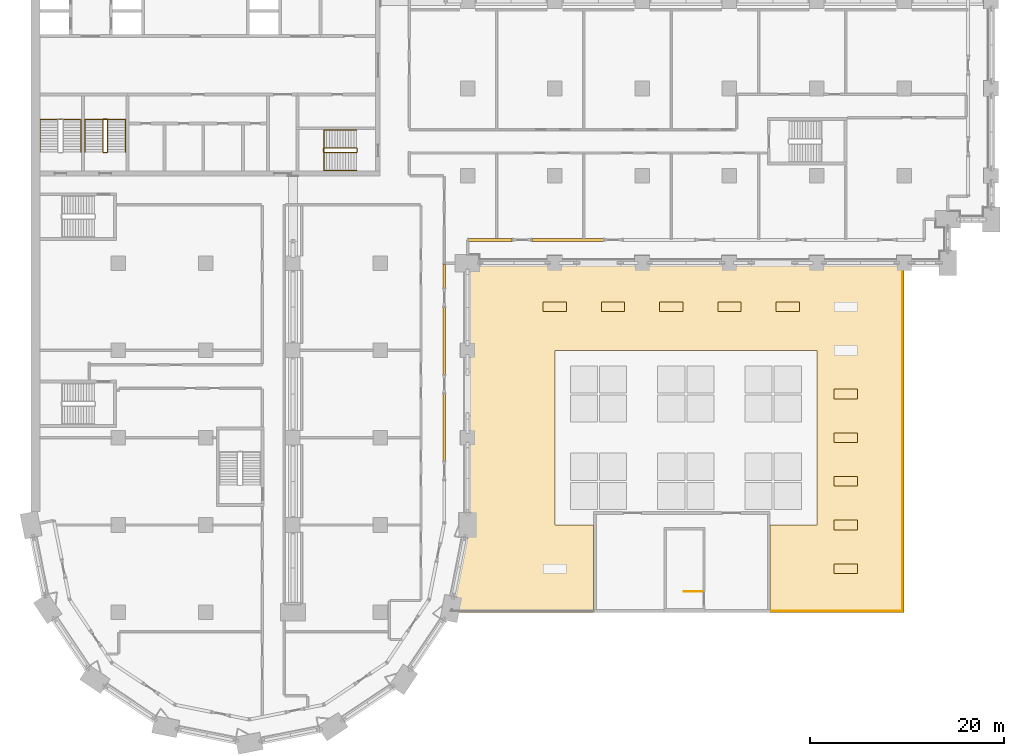
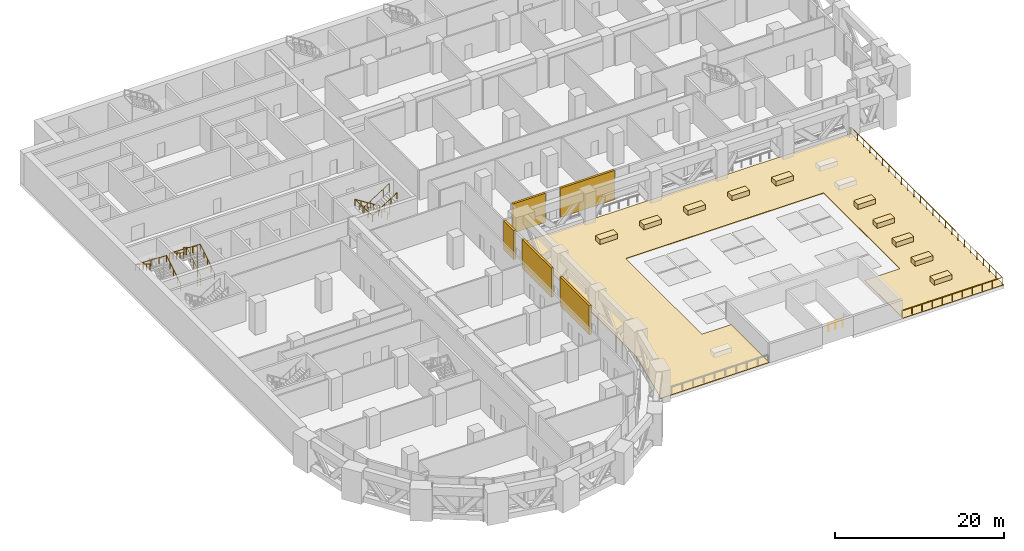
# One storey, part 28 of 31: 11 coverings, 7 railings, 5 shading devices.
"""IFC4 building model written with IfcOpenShell, lengths in metres."""

from ifc_helpers import new_model, si_unit, direction, frame, origin, origin_2d, place, context, subcontext, project, spatial, polyline, rectangle, circle, outline, extrude, material, layer, layer_set, type_object, element, save


model = new_model("IFC4")

# Units and contexts
model_context = context("Model", 3, precision=1e-05, world=origin(), true_north=direction((0.0, 1.0)))
body_context = subcontext(model_context, "Body", "Model", "MODEL_VIEW")
ifc_project = project(units=[si_unit("LENGTHUNIT", "METRE"), si_unit("AREAUNIT", "SQUARE_METRE"), si_unit("VOLUMEUNIT", "CUBIC_METRE"), si_unit("PLANEANGLEUNIT", "RADIAN"), si_unit("MASSUNIT", "GRAM", prefix="KILO")], contexts=[model_context])

# Site, building, storey
site_placement = place(None, origin())
site = spatial("IfcSite", under=ifc_project, at=site_placement, CompositionType="ELEMENT")
building_placement = place(site_placement, origin())
building = spatial("IfcBuilding", under=site, at=building_placement, Name="Hunhe Ridgeline Campus", CompositionType="ELEMENT")
storey_placement = place(building_placement, frame((0.0, 0.0, 31.199951171875)))
storey = spatial("IfcBuildingStorey", under=building, at=storey_placement, Name="L06", CompositionType="ELEMENT", Elevation=31.199951171875)

# Shading devices
ifc_material_1 = material(Name="Aluminium 6063", Category="aluminium")
ifc_layer_1 = layer(ifc_material_1, 0.300048828125)
ifc_layer_set_1 = layer_set([ifc_layer_1], Name="Louvre bank 300 Aluminium 6063")
shading_device_type = type_object("IfcShadingDeviceType", Name="Louvre bank 300 Aluminium 6063", PredefinedType="USERDEFINED", material=ifc_layer_set_1)
for number, where, z_axis, x_axis, name in (
    (1, (42.59912109375, 37.0576171875, 0.0), (0.0, 0.0, 1.0), (1.40429e-07, 1.0, 0.0), "Louvre bank 18"),
    (2, (42.59912109375, 45.97900390625, 0.0), (0.0, 0.0, 1.0), (1.40429e-07, 1.0, 0.0), "Louvre bank 19"),
):
    element("IfcShadingDevice", number, at=place(storey_placement, frame(where, z_axis=z_axis, x_axis=x_axis)), inside=storey, type_object=shading_device_type, Name=name, ObjectType="LOUVRE", PredefinedType="USERDEFINED", context=body_context, shape_type="SweptSolid", body=[
        extrude(rectangle(XDim=6.881103515625, YDim=0.300048828125, at=origin_2d()), origin(), (0.0, 0.0, 1.0), 4.199951171875),
    ])
shading_device_1_placement = place(storey_placement, frame((42.59912109375, 52.669677734375, 0.0), z_axis=(0.0, 0.0, 1.0), x_axis=(0.0, 1.0, 0.0)))
element("IfcShadingDevice", 3, at=shading_device_1_placement, inside=storey, type_object=shading_device_type, Name="Louvre bank 20", ObjectType="LOUVRE", PredefinedType="USERDEFINED", context=body_context, shape_type="SweptSolid", body=[
    extrude(rectangle(XDim=2.420654296875, YDim=0.300048828125, at=origin_2d()), origin(), (0.0, 0.0, 1.0), 4.199951171875),
])
shading_device_2_placement = place(storey_placement, frame((47.3544921875, 56.40087890625, 0.0), z_axis=(0.0, 0.0, 1.0), x_axis=(0.999999999993, 3.609376e-06, 0.0)))
element("IfcShadingDevice", 4, at=shading_device_2_placement, inside=storey, type_object=shading_device_type, Name="Louvre bank 21", ObjectType="LOUVRE", PredefinedType="USERDEFINED", context=body_context, shape_type="SweptSolid", body=[
    extrude(rectangle(XDim=4.469970703125, YDim=0.300048828125, at=origin_2d()), origin(), (0.0, 0.0, 1.0), 4.199951171875),
])
shading_device_3_placement = place(storey_placement, frame((55.3193359375, 56.40087890625, 0.0), z_axis=(0.0, 0.0, 1.0), x_axis=(0.999999999993, 3.674581e-06, 0.0)))
element("IfcShadingDevice", 5, at=shading_device_3_placement, inside=storey, type_object=shading_device_type, Name="Louvre bank 22", ObjectType="LOUVRE", PredefinedType="USERDEFINED", context=body_context, shape_type="SweptSolid", body=[
    extrude(rectangle(XDim=7.3798828125, YDim=0.300048828125, at=origin_2d()), origin(), (0.0, 0.0, 1.0), 4.199951171875),
])

# Coverings
ifc_material_2 = material(Name="Planting soil")
covering_type_1 = type_object("IfcCoveringType", Name="Podium garden planter 700 planting soil", PredefinedType="USERDEFINED", material=ifc_material_2)
covering_1_placement = place(storey_placement, frame((0.0, 0.0, 0.080078125)))
element("IfcCovering", 6, at=covering_1_placement, inside=storey, type_object=covering_type_1, Name="Garden planter 2", ObjectType="PLANTER", PredefinedType="USERDEFINED", context=body_context, shape_type="SweptSolid", body=[
    extrude(outline(polyline([(52.800048828125, 49.0), (55.199951171875, 49.0), (55.199951171875, 50.0), (52.800048828125, 50.0), (52.800048828125, 49.0)])), origin(), (0.0, 0.0, 1.0), 0.699951171875),
])
covering_2_placement = place(storey_placement, frame((0.0, 0.0, 0.080078125)))
element("IfcCovering", 7, at=covering_2_placement, inside=storey, type_object=covering_type_1, Name="Garden planter 3", ObjectType="PLANTER", PredefinedType="USERDEFINED", context=body_context, shape_type="SweptSolid", body=[
    extrude(outline(polyline([(58.800048828125, 49.0), (61.199951171875, 49.0), (61.199951171875, 50.0), (58.800048828125, 50.0), (58.800048828125, 49.0)])), origin(), (0.0, 0.0, 1.0), 0.699951171875),
])
covering_3_placement = place(storey_placement, frame((0.0, 0.0, 0.080078125)))
element("IfcCovering", 8, at=covering_3_placement, inside=storey, type_object=covering_type_1, Name="Garden planter 4", ObjectType="PLANTER", PredefinedType="USERDEFINED", context=body_context, shape_type="SweptSolid", body=[
    extrude(outline(polyline([(64.800048828125, 49.0), (67.199951171875, 49.0), (67.199951171875, 50.0), (64.800048828125, 50.0), (64.800048828125, 49.0)])), origin(), (0.0, 0.0, 1.0), 0.699951171875),
])
covering_4_placement = place(storey_placement, frame((0.0, 0.0, 0.080078125)))
element("IfcCovering", 9, at=covering_4_placement, inside=storey, type_object=covering_type_1, Name="Garden planter 5", ObjectType="PLANTER", PredefinedType="USERDEFINED", context=body_context, shape_type="SweptSolid", body=[
    extrude(outline(polyline([(70.800048828125, 49.0), (73.199951171875, 49.0), (73.199951171875, 50.0), (70.800048828125, 50.0), (70.800048828125, 49.0)])), origin(), (0.0, 0.0, 1.0), 0.699951171875),
])
covering_5_placement = place(storey_placement, frame((0.0, 0.0, 0.080078125)))
element("IfcCovering", 10, at=covering_5_placement, inside=storey, type_object=covering_type_1, Name="Garden planter 6", ObjectType="PLANTER", PredefinedType="USERDEFINED", context=body_context, shape_type="SweptSolid", body=[
    extrude(outline(polyline([(76.800048828125, 49.0), (79.199951171875, 49.0), (79.199951171875, 50.0), (76.800048828125, 50.0), (76.800048828125, 49.0)])), origin(), (0.0, 0.0, 1.0), 0.699951171875),
])
covering_6_placement = place(storey_placement, frame((0.0, 0.0, 0.080078125)))
element("IfcCovering", 11, at=covering_6_placement, inside=storey, type_object=covering_type_1, Name="Garden planter 7", ObjectType="PLANTER", PredefinedType="USERDEFINED", context=body_context, shape_type="SweptSolid", body=[
    extrude(outline(polyline([(82.800048828125, 22.0), (85.199951171875, 22.0), (85.199951171875, 23.0), (82.800048828125, 23.0), (82.800048828125, 22.0)])), origin(), (0.0, 0.0, 1.0), 0.699951171875),
])
covering_7_placement = place(storey_placement, frame((0.0, 0.0, 0.080078125)))
element("IfcCovering", 12, at=covering_7_placement, inside=storey, type_object=covering_type_1, Name="Garden planter 8", ObjectType="PLANTER", PredefinedType="USERDEFINED", context=body_context, shape_type="SweptSolid", body=[
    extrude(outline(polyline([(82.800048828125, 26.5), (85.199951171875, 26.5), (85.199951171875, 27.5), (82.800048828125, 27.5), (82.800048828125, 26.5)])), origin(), (0.0, 0.0, 1.0), 0.699951171875),
])
covering_8_placement = place(storey_placement, frame((0.0, 0.0, 0.080078125)))
element("IfcCovering", 13, at=covering_8_placement, inside=storey, type_object=covering_type_1, Name="Garden planter 9", ObjectType="PLANTER", PredefinedType="USERDEFINED", context=body_context, shape_type="SweptSolid", body=[
    extrude(outline(polyline([(82.800048828125, 31.0), (85.199951171875, 31.0), (85.199951171875, 32.0), (82.800048828125, 32.0), (82.800048828125, 31.0)])), origin(), (0.0, 0.0, 1.0), 0.699951171875),
])
covering_9_placement = place(storey_placement, frame((0.0, 0.0, 0.080078125)))
element("IfcCovering", 14, at=covering_9_placement, inside=storey, type_object=covering_type_1, Name="Garden planter 10", ObjectType="PLANTER", PredefinedType="USERDEFINED", context=body_context, shape_type="SweptSolid", body=[
    extrude(outline(polyline([(82.800048828125, 35.5), (85.199951171875, 35.5), (85.199951171875, 36.5), (82.800048828125, 36.5), (82.800048828125, 35.5)])), origin(), (0.0, 0.0, 1.0), 0.699951171875),
])
covering_10_placement = place(storey_placement, frame((0.0, 0.0, 0.080078125)))
element("IfcCovering", 15, at=covering_10_placement, inside=storey, type_object=covering_type_1, Name="Garden planter 11", ObjectType="PLANTER", PredefinedType="USERDEFINED", context=body_context, shape_type="SweptSolid", body=[
    extrude(outline(polyline([(82.800048828125, 40.0), (85.199951171875, 40.0), (85.199951171875, 41.0), (82.800048828125, 41.0), (82.800048828125, 40.0)])), origin(), (0.0, 0.0, 1.0), 0.699951171875),
])

# Railing
ifc_material_3 = material(Name="Steel Q235", Category="steel")
railing_type_1 = type_object("IfcRailingType", Name="Podium stair guard 1100", PredefinedType="GUARDRAIL", material=ifc_material_3)
railing_1_placement = place(storey_placement, frame((69.25, 20.14990234375, 0.0)))
element("IfcRailing", 16, at=railing_1_placement, inside=storey, type_object=railing_type_1, Name="L06 PS2 top well guard 1", PredefinedType="GUARDRAIL", context=body_context, shape_type="SweptSolid", body=[
    extrude(circle(Radius=0.02392578125, at=origin_2d()), frame((0.0, 0.0, 1.076171875), z_axis=(-1.0, 0.0, 0.0), x_axis=(0.0, -1.0, 0.0)), (0.0, 0.0, 1.0), 1.949951171875),
    extrude(circle(Radius=0.02099609375, at=origin_2d()), origin(), (0.0, 0.0, 1.0), 1.052001953125),
    extrude(circle(Radius=0.02099609375, at=origin_2d()), frame((-0.97509765625, 0.0, 0.0)), (0.0, 0.0, 1.0), 1.052001953125),
    extrude(circle(Radius=0.02099609375, at=origin_2d()), frame((-1.949951171875, 0.0, 0.0)), (0.0, 0.0, 1.0), 1.052001953125),
])

# Covering
ifc_material_4 = material(Name="Precast concrete C30 paving", Category="concrete")
ifc_layer_2 = layer(ifc_material_4, 0.080078125)
ifc_layer_set_2 = layer_set([ifc_layer_2], Name="Podium terrace paving 80 precast concrete C30")
covering_type_2 = type_object("IfcCoveringType", Name="Podium terrace paving 80 precast concrete C30", PredefinedType="FLOORING", material=ifc_layer_set_2)
covering_11_placement = place(storey_placement, origin())
element("IfcCovering", 17, at=covering_11_placement, inside=storey, type_object=covering_type_2, Name="Podium terrace paving", PredefinedType="FLOORING", context=body_context, shape_type="SweptSolid", body=[
    extrude(outline(polyline([(43.287353515625, 18.3896484375), (43.027099609375, 18.0), (58.0, 18.0), (58.0, 27.0), (54.0, 27.0), (54.0, 45.0), (81.0, 45.0), (81.0, 27.0), (76.199951171875, 27.0), (76.199951171875, 18.0), (90.0, 18.0), (90.0, 54.0), (45.0, 54.0), (45.0, 27.0), (43.287353515625, 18.3896484375)])), origin(), (0.0, 0.0, 1.0), 0.080078125),
])

# Railings
ifc_material_5 = material(Name="Stainless steel balustrade", Category="steel")
railing_type_2 = type_object("IfcRailingType", Name="Stair guard 1100 stainless", PredefinedType="GUARDRAIL", material=ifc_material_5)
railing_2_placement = place(storey_placement, frame((33.550048828125, 65.85009765625, 0.177001953125)))
element("IfcRailing", 18, at=railing_2_placement, inside=storey, type_object=railing_type_2, Name="L06 stair S2 guard", PredefinedType="GUARDRAIL", context=body_context, shape_type="SweptSolid", body=[
    extrude(circle(Radius=0.02392578125, at=origin_2d()), frame((0.0, 0.0, 1.076171875), z_axis=(-0.845389635667, 0.0, 0.534150132366), x_axis=(0.0, -1.0, 0.0)), (0.0, 0.0, 1.0), 3.974609375),
    extrude(circle(Radius=0.02392578125, at=origin_2d()), frame((-3.360107421875, 0.0, 3.19921875), z_axis=(-0.707106781187, -0.707106781187, 0.0), x_axis=(0.707106781187, -0.707106781187, 0.0)), (0.0, 0.0, 1.0), 0.07080078125),
    extrude(circle(Radius=0.02392578125, at=origin_2d()), frame((-3.41015625, -0.050048828125, 3.19921875), z_axis=(0.0, -1.0, 0.0), x_axis=(1.0, 0.0, 0.0)), (0.0, 0.0, 1.0), 0.35009765625),
    extrude(circle(Radius=0.02392578125, at=origin_2d()), frame((-3.41015625, -0.400146484375, 3.19921875), z_axis=(0.262545553595, -0.262545553595, 0.928514762713), x_axis=(0.707106781187, 0.707106781187, 0.0)), (0.0, 0.0, 1.0), 0.190673828125),
    extrude(circle(Radius=0.02392578125, at=origin_2d()), frame((-3.360107421875, -0.4501953125, 3.3759765625), z_axis=(0.845389635667, 0.0, 0.534150132366), x_axis=(0.0, 1.0, 0.0)), (0.0, 0.0, 1.0), 3.974609375),
    extrude(circle(Radius=0.02392578125, at=origin_2d()), frame((0.0, -0.4501953125, 5.4990234375), z_axis=(0.010878661383, 0.010878661383, -0.999881647723), x_axis=(-0.707106781187, 0.707106781187, 0.0)), (0.0, 0.0, 1.0), 4.6005859375),
    extrude(circle(Radius=0.02392578125, at=origin_2d()), frame((0.050048828125, -0.400146484375, 0.89892578125), z_axis=(0.0, 1.0, 0.0), x_axis=(-1.0, 0.0, 0.0)), (0.0, 0.0, 1.0), 0.35009765625),
    extrude(circle(Radius=0.02099609375, at=origin_2d()), origin(), (0.0, 0.0, 1.0), 1.052001953125),
    extrude(circle(Radius=0.02099609375, at=origin_2d()), frame((-0.840087890625, 0.0, 0.53076171875)), (0.0, 0.0, 1.0), 1.052001953125),
    extrude(circle(Radius=0.02099609375, at=origin_2d()), frame((-1.68017578125, 0.0, 1.0615234375)), (0.0, 0.0, 1.0), 1.052001953125),
    extrude(circle(Radius=0.02099609375, at=origin_2d()), frame((-2.52001953125, 0.0, 1.59228515625)), (0.0, 0.0, 1.0), 1.052001953125),
    extrude(circle(Radius=0.02099609375, at=origin_2d()), frame((-3.360107421875, 0.0, 2.123046875)), (0.0, 0.0, 1.0), 1.052001953125),
    extrude(circle(Radius=0.02099609375, at=origin_2d()), frame((-3.41015625, -0.050048828125, 2.123046875)), (0.0, 0.0, 1.0), 1.052001953125),
    extrude(circle(Radius=0.02099609375, at=origin_2d()), frame((-3.41015625, -0.400146484375, 2.123046875)), (0.0, 0.0, 1.0), 1.052001953125),
    extrude(circle(Radius=0.02099609375, at=origin_2d()), frame((-3.360107421875, -0.4501953125, 2.300048828125)), (0.0, 0.0, 1.0), 1.052001953125),
    extrude(circle(Radius=0.02099609375, at=origin_2d()), frame((-2.52001953125, -0.4501953125, 2.830810546875)), (0.0, 0.0, 1.0), 1.052001953125),
    extrude(circle(Radius=0.02099609375, at=origin_2d()), frame((-1.68017578125, -0.4501953125, 3.361572265625)), (0.0, 0.0, 1.0), 1.052001953125),
    extrude(circle(Radius=0.02099609375, at=origin_2d()), frame((-0.840087890625, -0.4501953125, 3.892333984375)), (0.0, 0.0, 1.0), 1.052001953125),
    extrude(circle(Radius=0.02099609375, at=origin_2d()), frame((0.0, -0.4501953125, 4.423095703125)), (0.0, 0.0, 1.0), 1.052001953125),
    extrude(circle(Radius=0.02099609375, at=origin_2d()), frame((0.012451171875, -0.437744140625, 3.27294921875)), (0.0, 0.0, 1.0), 1.052001953125),
    extrude(circle(Radius=0.02099609375, at=origin_2d()), frame((0.02490234375, -0.42529296875, 2.123046875)), (0.0, 0.0, 1.0), 1.052001953125),
    extrude(circle(Radius=0.02099609375, at=origin_2d()), frame((0.03759765625, -0.41259765625, 0.97314453125)), (0.0, 0.0, 1.0), 1.052001953125),
    extrude(circle(Radius=0.02099609375, at=origin_2d()), frame((0.050048828125, -0.400146484375, -0.177001953125)), (0.0, 0.0, 1.0), 1.052001953125),
    extrude(circle(Radius=0.02099609375, at=origin_2d()), frame((0.050048828125, -0.050048828125, -0.177001953125)), (0.0, 0.0, 1.0), 1.052001953125),
])
railing_3_placement = place(storey_placement, frame((7.89990234375, 65.449951171875, 0.177001953125)))
element("IfcRailing", 19, at=railing_3_placement, inside=storey, type_object=railing_type_2, Name="L06 stair S4 guard", PredefinedType="GUARDRAIL", context=body_context, shape_type="SweptSolid", body=[
    extrude(circle(Radius=0.02392578125, at=origin_2d()), frame((0.0, 0.0, 1.076171875), z_axis=(0.0, 0.845389635667, 0.534150132366), x_axis=(-1.0, 0.0, 0.0)), (0.0, 0.0, 1.0), 3.974609375),
    extrude(circle(Radius=0.02392578125, at=origin_2d()), frame((0.0, 3.360107421875, 3.19921875), z_axis=(-0.705375805398, 0.708833529934, 0.0), x_axis=(-0.708833529934, -0.705375805398, 0.0)), (0.0, 0.0, 1.0), 0.070556640625),
    extrude(circle(Radius=0.02392578125, at=origin_2d()), frame((-0.0498046875, 3.41015625, 3.19921875), z_axis=(-1.0, 0.0, 0.0), x_axis=(0.0, -1.0, 0.0)), (0.0, 0.0, 1.0), 0.400146484375),
    extrude(circle(Radius=0.02392578125, at=origin_2d()), frame((-0.449951171875, 3.41015625, 3.19921875), z_axis=(-0.262545553595, -0.262545553595, 0.928514762713), x_axis=(0.707106781187, -0.707106781187, 0.0)), (0.0, 0.0, 1.0), 0.190673828125),
    extrude(circle(Radius=0.02392578125, at=origin_2d()), frame((-0.5, 3.360107421875, 3.3759765625), z_axis=(0.0, -0.845389635667, 0.534150132366), x_axis=(1.0, 0.0, 0.0)), (0.0, 0.0, 1.0), 3.974609375),
    extrude(circle(Radius=0.02392578125, at=origin_2d()), frame((-0.5, 0.0, 5.4990234375), z_axis=(0.010878661383, -0.010878661383, -0.999881647723), x_axis=(0.707106781187, 0.707106781187, 0.0)), (0.0, 0.0, 1.0), 4.6005859375),
    extrude(circle(Radius=0.02392578125, at=origin_2d()), frame((-0.449951171875, -0.050048828125, 0.89892578125), z_axis=(1.0, 0.0, 0.0), x_axis=(0.0, 1.0, 0.0)), (0.0, 0.0, 1.0), 0.400146484375),
    extrude(circle(Radius=0.02099609375, at=origin_2d()), origin(), (0.0, 0.0, 1.0), 1.052001953125),
    extrude(circle(Radius=0.02099609375, at=origin_2d()), frame((0.0, 0.840087890625, 0.53076171875)), (0.0, 0.0, 1.0), 1.052001953125),
    extrude(circle(Radius=0.02099609375, at=origin_2d()), frame((0.0, 1.68017578125, 1.0615234375)), (0.0, 0.0, 1.0), 1.052001953125),
    extrude(circle(Radius=0.02099609375, at=origin_2d()), frame((0.0, 2.52001953125, 1.59228515625)), (0.0, 0.0, 1.0), 1.052001953125),
    extrude(circle(Radius=0.02099609375, at=origin_2d()), frame((0.0, 3.360107421875, 2.123046875)), (0.0, 0.0, 1.0), 1.052001953125),
    extrude(circle(Radius=0.02099609375, at=origin_2d()), frame((-0.0498046875, 3.41015625, 2.123046875)), (0.0, 0.0, 1.0), 1.052001953125),
    extrude(circle(Radius=0.02099609375, at=origin_2d()), frame((-0.449951171875, 3.41015625, 2.123046875)), (0.0, 0.0, 1.0), 1.052001953125),
    extrude(circle(Radius=0.02099609375, at=origin_2d()), frame((-0.5, 3.360107421875, 2.300048828125)), (0.0, 0.0, 1.0), 1.052001953125),
    extrude(circle(Radius=0.02099609375, at=origin_2d()), frame((-0.5, 2.52001953125, 2.830810546875)), (0.0, 0.0, 1.0), 1.052001953125),
    extrude(circle(Radius=0.02099609375, at=origin_2d()), frame((-0.5, 1.68017578125, 3.361572265625)), (0.0, 0.0, 1.0), 1.052001953125),
    extrude(circle(Radius=0.02099609375, at=origin_2d()), frame((-0.5, 0.840087890625, 3.892333984375)), (0.0, 0.0, 1.0), 1.052001953125),
    extrude(circle(Radius=0.02099609375, at=origin_2d()), frame((-0.5, 0.0, 4.423095703125)), (0.0, 0.0, 1.0), 1.052001953125),
    extrude(circle(Radius=0.02099609375, at=origin_2d()), frame((-0.487548828125, -0.012451171875, 3.27294921875)), (0.0, 0.0, 1.0), 1.052001953125),
    extrude(circle(Radius=0.02099609375, at=origin_2d()), frame((-0.47509765625, -0.02490234375, 2.123046875)), (0.0, 0.0, 1.0), 1.052001953125),
    extrude(circle(Radius=0.02099609375, at=origin_2d()), frame((-0.46240234375, -0.03759765625, 0.97314453125)), (0.0, 0.0, 1.0), 1.052001953125),
    extrude(circle(Radius=0.02099609375, at=origin_2d()), frame((-0.449951171875, -0.050048828125, -0.177001953125)), (0.0, 0.0, 1.0), 1.052001953125),
    extrude(circle(Radius=0.02099609375, at=origin_2d()), frame((-0.0498046875, -0.050048828125, -0.177001953125)), (0.0, 0.0, 1.0), 1.052001953125),
])
ifc_material_6 = material(Name="Stainless steel handrail", Category="steel")
railing_type_3 = type_object("IfcRailingType", Name="Stair handrail 900 stainless", PredefinedType="HANDRAIL", material=ifc_material_6)
railing_4_placement = place(storey_placement, frame((33.550048828125, 67.699951171875, 0.177001953125)))
element("IfcRailing", 20, at=railing_4_placement, inside=storey, type_object=railing_type_3, Name="L06 stair S2 handrail", PredefinedType="HANDRAIL", context=body_context, shape_type="SweptSolid", body=[
    extrude(circle(Radius=0.02392578125, at=origin_2d()), frame((0.0, 0.0, 0.8759765625), z_axis=(-0.845389635667, 0.0, 0.534150132366), x_axis=(0.0, -1.0, 0.0)), (0.0, 0.0, 1.0), 3.974609375),
    extrude(circle(Radius=0.02392578125, at=origin_2d()), frame((-3.360107421875, 0.0, 2.9990234375), z_axis=(0.0, -0.999091639355, 0.042613333247), x_axis=(1.0, 0.0, 0.0)), (0.0, 0.0, 1.0), 4.153564453125),
    extrude(circle(Radius=0.02392578125, at=origin_2d()), frame((-3.360107421875, -4.14990234375, 3.17578125), z_axis=(0.845389635667, 0.0, 0.534150132366), x_axis=(0.0, 1.0, 0.0)), (0.0, 0.0, 1.0), 3.974609375),
    extrude(circle(Radius=0.02099609375, at=origin_2d()), origin(), (0.0, 0.0, 1.0), 0.851806640625),
    extrude(circle(Radius=0.02099609375, at=origin_2d()), frame((-0.840087890625, 0.0, 0.53076171875)), (0.0, 0.0, 1.0), 0.851806640625),
    extrude(circle(Radius=0.02099609375, at=origin_2d()), frame((-1.68017578125, 0.0, 1.0615234375)), (0.0, 0.0, 1.0), 0.851806640625),
    extrude(circle(Radius=0.02099609375, at=origin_2d()), frame((-2.52001953125, 0.0, 1.59228515625)), (0.0, 0.0, 1.0), 0.851806640625),
    extrude(circle(Radius=0.02099609375, at=origin_2d()), frame((-3.360107421875, 0.0, 2.123046875)), (0.0, 0.0, 1.0), 0.851806640625),
    extrude(circle(Radius=0.02099609375, at=origin_2d()), frame((-3.360107421875, -1.03759765625, 2.167236328125)), (0.0, 0.0, 1.0), 0.851806640625),
    extrude(circle(Radius=0.02099609375, at=origin_2d()), frame((-3.360107421875, -2.074951171875, 2.21142578125)), (0.0, 0.0, 1.0), 0.851806640625),
    extrude(circle(Radius=0.02099609375, at=origin_2d()), frame((-3.360107421875, -3.1123046875, 2.255859375)), (0.0, 0.0, 1.0), 0.851806640625),
    extrude(circle(Radius=0.02099609375, at=origin_2d()), frame((-3.360107421875, -4.14990234375, 2.300048828125)), (0.0, 0.0, 1.0), 0.851806640625),
    extrude(circle(Radius=0.02099609375, at=origin_2d()), frame((-2.52001953125, -4.14990234375, 2.830810546875)), (0.0, 0.0, 1.0), 0.851806640625),
    extrude(circle(Radius=0.02099609375, at=origin_2d()), frame((-1.68017578125, -4.14990234375, 3.361572265625)), (0.0, 0.0, 1.0), 0.851806640625),
    extrude(circle(Radius=0.02099609375, at=origin_2d()), frame((-0.840087890625, -4.14990234375, 3.892333984375)), (0.0, 0.0, 1.0), 0.851806640625),
    extrude(circle(Radius=0.02099609375, at=origin_2d()), frame((0.0, -4.14990234375, 4.423095703125)), (0.0, 0.0, 1.0), 0.851806640625),
])
railing_5_placement = place(storey_placement, frame((5.14990234375, 65.449951171875, 0.177001953125)))
element("IfcRailing", 21, at=railing_5_placement, inside=storey, type_object=railing_type_3, Name="L06 stair S3 handrail", PredefinedType="HANDRAIL", context=body_context, shape_type="SweptSolid", body=[
    extrude(circle(Radius=0.02392578125, at=origin_2d()), frame((0.0, 0.0, 0.8759765625), z_axis=(0.0, 0.845389635667, 0.534150132366), x_axis=(-1.0, 0.0, 0.0)), (0.0, 0.0, 1.0), 3.974609375),
    extrude(circle(Radius=0.02392578125, at=origin_2d()), frame((0.0, 3.360107421875, 2.9990234375), z_axis=(-0.999113130752, 0.0, 0.042106436075), x_axis=(0.0, -1.0, 0.0)), (0.0, 0.0, 1.0), 4.20361328125),
    extrude(circle(Radius=0.02392578125, at=origin_2d()), frame((-4.199951171875, 3.360107421875, 3.17578125), z_axis=(0.0, -0.845389635667, 0.534150132366), x_axis=(1.0, 0.0, 0.0)), (0.0, 0.0, 1.0), 3.974609375),
    extrude(circle(Radius=0.02099609375, at=origin_2d()), origin(), (0.0, 0.0, 1.0), 0.851806640625),
    extrude(circle(Radius=0.02099609375, at=origin_2d()), frame((0.0, 0.840087890625, 0.53076171875)), (0.0, 0.0, 1.0), 0.851806640625),
    extrude(circle(Radius=0.02099609375, at=origin_2d()), frame((0.0, 1.68017578125, 1.0615234375)), (0.0, 0.0, 1.0), 0.851806640625),
    extrude(circle(Radius=0.02099609375, at=origin_2d()), frame((0.0, 2.52001953125, 1.59228515625)), (0.0, 0.0, 1.0), 0.851806640625),
    extrude(circle(Radius=0.02099609375, at=origin_2d()), frame((0.0, 3.360107421875, 2.123046875)), (0.0, 0.0, 1.0), 0.851806640625),
    extrude(circle(Radius=0.02099609375, at=origin_2d()), frame((-1.050048828125, 3.360107421875, 2.167236328125)), (0.0, 0.0, 1.0), 0.851806640625),
    extrude(circle(Radius=0.02099609375, at=origin_2d()), frame((-2.10009765625, 3.360107421875, 2.21142578125)), (0.0, 0.0, 1.0), 0.851806640625),
    extrude(circle(Radius=0.02099609375, at=origin_2d()), frame((-3.14990234375, 3.360107421875, 2.255859375)), (0.0, 0.0, 1.0), 0.851806640625),
    extrude(circle(Radius=0.02099609375, at=origin_2d()), frame((-4.199951171875, 3.360107421875, 2.300048828125)), (0.0, 0.0, 1.0), 0.851806640625),
    extrude(circle(Radius=0.02099609375, at=origin_2d()), frame((-4.199951171875, 2.52001953125, 2.830810546875)), (0.0, 0.0, 1.0), 0.851806640625),
    extrude(circle(Radius=0.02099609375, at=origin_2d()), frame((-4.199951171875, 1.68017578125, 3.361572265625)), (0.0, 0.0, 1.0), 0.851806640625),
    extrude(circle(Radius=0.02099609375, at=origin_2d()), frame((-4.199951171875, 0.840087890625, 3.892333984375)), (0.0, 0.0, 1.0), 0.851806640625),
    extrude(circle(Radius=0.02099609375, at=origin_2d()), frame((-4.199951171875, 0.0, 4.423095703125)), (0.0, 0.0, 1.0), 0.851806640625),
])
railing_6_placement = place(storey_placement, frame((9.75, 65.449951171875, 0.177001953125)))
element("IfcRailing", 22, at=railing_6_placement, inside=storey, type_object=railing_type_3, Name="L06 stair S4 handrail", PredefinedType="HANDRAIL", context=body_context, shape_type="SweptSolid", body=[
    extrude(circle(Radius=0.02392578125, at=origin_2d()), frame((0.0, 0.0, 0.8759765625), z_axis=(0.0, 0.845389635667, 0.534150132366), x_axis=(-1.0, 0.0, 0.0)), (0.0, 0.0, 1.0), 3.974609375),
    extrude(circle(Radius=0.02392578125, at=origin_2d()), frame((0.0, 3.360107421875, 2.9990234375), z_axis=(-0.999113130752, 0.0, 0.042106436075), x_axis=(0.0, -1.0, 0.0)), (0.0, 0.0, 1.0), 4.20361328125),
    extrude(circle(Radius=0.02392578125, at=origin_2d()), frame((-4.199951171875, 3.360107421875, 3.17578125), z_axis=(0.0, -0.845389635667, 0.534150132366), x_axis=(1.0, 0.0, 0.0)), (0.0, 0.0, 1.0), 3.974609375),
    extrude(circle(Radius=0.02099609375, at=origin_2d()), origin(), (0.0, 0.0, 1.0), 0.851806640625),
    extrude(circle(Radius=0.02099609375, at=origin_2d()), frame((0.0, 0.840087890625, 0.53076171875)), (0.0, 0.0, 1.0), 0.851806640625),
    extrude(circle(Radius=0.02099609375, at=origin_2d()), frame((0.0, 1.68017578125, 1.0615234375)), (0.0, 0.0, 1.0), 0.851806640625),
    extrude(circle(Radius=0.02099609375, at=origin_2d()), frame((0.0, 2.52001953125, 1.59228515625)), (0.0, 0.0, 1.0), 0.851806640625),
    extrude(circle(Radius=0.02099609375, at=origin_2d()), frame((0.0, 3.360107421875, 2.123046875)), (0.0, 0.0, 1.0), 0.851806640625),
    extrude(circle(Radius=0.02099609375, at=origin_2d()), frame((-1.050048828125, 3.360107421875, 2.167236328125)), (0.0, 0.0, 1.0), 0.851806640625),
    extrude(circle(Radius=0.02099609375, at=origin_2d()), frame((-2.10009765625, 3.360107421875, 2.21142578125)), (0.0, 0.0, 1.0), 0.851806640625),
    extrude(circle(Radius=0.02099609375, at=origin_2d()), frame((-3.14990234375, 3.360107421875, 2.255859375)), (0.0, 0.0, 1.0), 0.851806640625),
    extrude(circle(Radius=0.02099609375, at=origin_2d()), frame((-4.199951171875, 3.360107421875, 2.300048828125)), (0.0, 0.0, 1.0), 0.851806640625),
    extrude(circle(Radius=0.02099609375, at=origin_2d()), frame((-4.199951171875, 2.52001953125, 2.830810546875)), (0.0, 0.0, 1.0), 0.851806640625),
    extrude(circle(Radius=0.02099609375, at=origin_2d()), frame((-4.199951171875, 1.68017578125, 3.361572265625)), (0.0, 0.0, 1.0), 0.851806640625),
    extrude(circle(Radius=0.02099609375, at=origin_2d()), frame((-4.199951171875, 0.840087890625, 3.892333984375)), (0.0, 0.0, 1.0), 0.851806640625),
    extrude(circle(Radius=0.02099609375, at=origin_2d()), frame((-4.199951171875, 0.0, 4.423095703125)), (0.0, 0.0, 1.0), 0.851806640625),
])
railing_type_4 = type_object("IfcRailingType", Name="Terrace parapet guard 1100", PredefinedType="GUARDRAIL", material=ifc_material_3)
railing_7_placement = place(storey_placement, frame((89.699951171875, 53.85009765625, 0.0)))
element("IfcRailing", 23, at=railing_7_placement, inside=storey, type_object=railing_type_4, Name="Terrace guard 2", PredefinedType="GUARDRAIL", context=body_context, shape_type="SweptSolid", body=[
    extrude(circle(Radius=0.02392578125, at=origin_2d()), frame((0.0, 0.0, 1.076171875), z_axis=(1.0, 0.0, 0.0), x_axis=(0.0, 1.0, 0.0)), (0.0, 0.0, 1.0), 0.150146484375),
    extrude(circle(Radius=0.02392578125, at=origin_2d()), frame((0.150146484375, 0.0, 1.076171875), z_axis=(0.0, -1.0, 0.0), x_axis=(1.0, 0.0, 0.0)), (0.0, 0.0, 1.0), 35.7001953125),
    extrude(circle(Radius=0.02392578125, at=origin_2d()), frame((0.150146484375, -35.7001953125, 1.076171875), z_axis=(-1.0, 0.0, 0.0), x_axis=(0.0, -1.0, 0.0)), (0.0, 0.0, 1.0), 13.650146484375),
    extrude(circle(Radius=0.02099609375, at=origin_2d()), origin(), (0.0, 0.0, 1.0), 1.052001953125),
    extrude(circle(Radius=0.02099609375, at=origin_2d()), frame((0.150146484375, 0.0, 0.0)), (0.0, 0.0, 1.0), 1.052001953125),
    extrude(circle(Radius=0.02099609375, at=origin_2d()), frame((0.150146484375, -1.487548828125, 0.0)), (0.0, 0.0, 1.0), 1.052001953125),
    extrude(circle(Radius=0.02099609375, at=origin_2d()), frame((0.150146484375, -2.97509765625, 0.0)), (0.0, 0.0, 1.0), 1.052001953125),
    extrude(circle(Radius=0.02099609375, at=origin_2d()), frame((0.150146484375, -4.46240234375, 0.0)), (0.0, 0.0, 1.0), 1.052001953125),
    extrude(circle(Radius=0.02099609375, at=origin_2d()), frame((0.150146484375, -5.949951171875, 0.0)), (0.0, 0.0, 1.0), 1.052001953125),
    extrude(circle(Radius=0.02099609375, at=origin_2d()), frame((0.150146484375, -7.4375, 0.0)), (0.0, 0.0, 1.0), 1.052001953125),
    extrude(circle(Radius=0.02099609375, at=origin_2d()), frame((0.150146484375, -8.925048828125, 0.0)), (0.0, 0.0, 1.0), 1.052001953125),
    extrude(circle(Radius=0.02099609375, at=origin_2d()), frame((0.150146484375, -10.41259765625, 0.0)), (0.0, 0.0, 1.0), 1.052001953125),
    extrude(circle(Radius=0.02099609375, at=origin_2d()), frame((0.150146484375, -11.900146484375, 0.0)), (0.0, 0.0, 1.0), 1.052001953125),
    extrude(circle(Radius=0.02099609375, at=origin_2d()), frame((0.150146484375, -13.3876953125, 0.0)), (0.0, 0.0, 1.0), 1.052001953125),
    extrude(circle(Radius=0.02099609375, at=origin_2d()), frame((0.150146484375, -14.875, 0.0)), (0.0, 0.0, 1.0), 1.052001953125),
    extrude(circle(Radius=0.02099609375, at=origin_2d()), frame((0.150146484375, -16.362548828125, 0.0)), (0.0, 0.0, 1.0), 1.052001953125),
    extrude(circle(Radius=0.02099609375, at=origin_2d()), frame((0.150146484375, -17.85009765625, 0.0)), (0.0, 0.0, 1.0), 1.052001953125),
    extrude(circle(Radius=0.02099609375, at=origin_2d()), frame((0.150146484375, -19.337646484375, 0.0)), (0.0, 0.0, 1.0), 1.052001953125),
    extrude(circle(Radius=0.02099609375, at=origin_2d()), frame((0.150146484375, -20.8251953125, 0.0)), (0.0, 0.0, 1.0), 1.052001953125),
    extrude(circle(Radius=0.02099609375, at=origin_2d()), frame((0.150146484375, -22.3125, 0.0)), (0.0, 0.0, 1.0), 1.052001953125),
    extrude(circle(Radius=0.02099609375, at=origin_2d()), frame((0.150146484375, -23.800048828125, 0.0)), (0.0, 0.0, 1.0), 1.052001953125),
    extrude(circle(Radius=0.02099609375, at=origin_2d()), frame((0.150146484375, -25.28759765625, 0.0)), (0.0, 0.0, 1.0), 1.052001953125),
    extrude(circle(Radius=0.02099609375, at=origin_2d()), frame((0.150146484375, -26.775146484375, 0.0)), (0.0, 0.0, 1.0), 1.052001953125),
    extrude(circle(Radius=0.02099609375, at=origin_2d()), frame((0.150146484375, -28.2626953125, 0.0)), (0.0, 0.0, 1.0), 1.052001953125),
    extrude(circle(Radius=0.02099609375, at=origin_2d()), frame((0.150146484375, -29.750244140625, 0.0)), (0.0, 0.0, 1.0), 1.052001953125),
    extrude(circle(Radius=0.02099609375, at=origin_2d()), frame((0.150146484375, -31.23779296875, 0.0)), (0.0, 0.0, 1.0), 1.052001953125),
    extrude(circle(Radius=0.02099609375, at=origin_2d()), frame((0.150146484375, -32.72509765625, 0.0)), (0.0, 0.0, 1.0), 1.052001953125),
    extrude(circle(Radius=0.02099609375, at=origin_2d()), frame((0.150146484375, -34.212646484375, 0.0)), (0.0, 0.0, 1.0), 1.052001953125),
    extrude(circle(Radius=0.02099609375, at=origin_2d()), frame((0.150146484375, -35.7001953125, 0.0)), (0.0, 0.0, 1.0), 1.052001953125),
    extrude(circle(Radius=0.02099609375, at=origin_2d()), frame((-1.21484375, -35.7001953125, 0.0)), (0.0, 0.0, 1.0), 1.052001953125),
    extrude(circle(Radius=0.02099609375, at=origin_2d()), frame((-2.579833984375, -35.7001953125, 0.0)), (0.0, 0.0, 1.0), 1.052001953125),
    extrude(circle(Radius=0.02099609375, at=origin_2d()), frame((-3.94482421875, -35.7001953125, 0.0)), (0.0, 0.0, 1.0), 1.052001953125),
    extrude(circle(Radius=0.02099609375, at=origin_2d()), frame((-5.309814453125, -35.7001953125, 0.0)), (0.0, 0.0, 1.0), 1.052001953125),
    extrude(circle(Radius=0.02099609375, at=origin_2d()), frame((-6.6748046875, -35.7001953125, 0.0)), (0.0, 0.0, 1.0), 1.052001953125),
    extrude(circle(Radius=0.02099609375, at=origin_2d()), frame((-8.0400390625, -35.7001953125, 0.0)), (0.0, 0.0, 1.0), 1.052001953125),
    extrude(circle(Radius=0.02099609375, at=origin_2d()), frame((-9.405029296875, -35.7001953125, 0.0)), (0.0, 0.0, 1.0), 1.052001953125),
    extrude(circle(Radius=0.02099609375, at=origin_2d()), frame((-10.77001953125, -35.7001953125, 0.0)), (0.0, 0.0, 1.0), 1.052001953125),
    extrude(circle(Radius=0.02099609375, at=origin_2d()), frame((-12.135009765625, -35.7001953125, 0.0)), (0.0, 0.0, 1.0), 1.052001953125),
    extrude(circle(Radius=0.02099609375, at=origin_2d()), frame((-13.5, -35.7001953125, 0.0)), (0.0, 0.0, 1.0), 1.052001953125),
])

save(model, "model.ifc")
